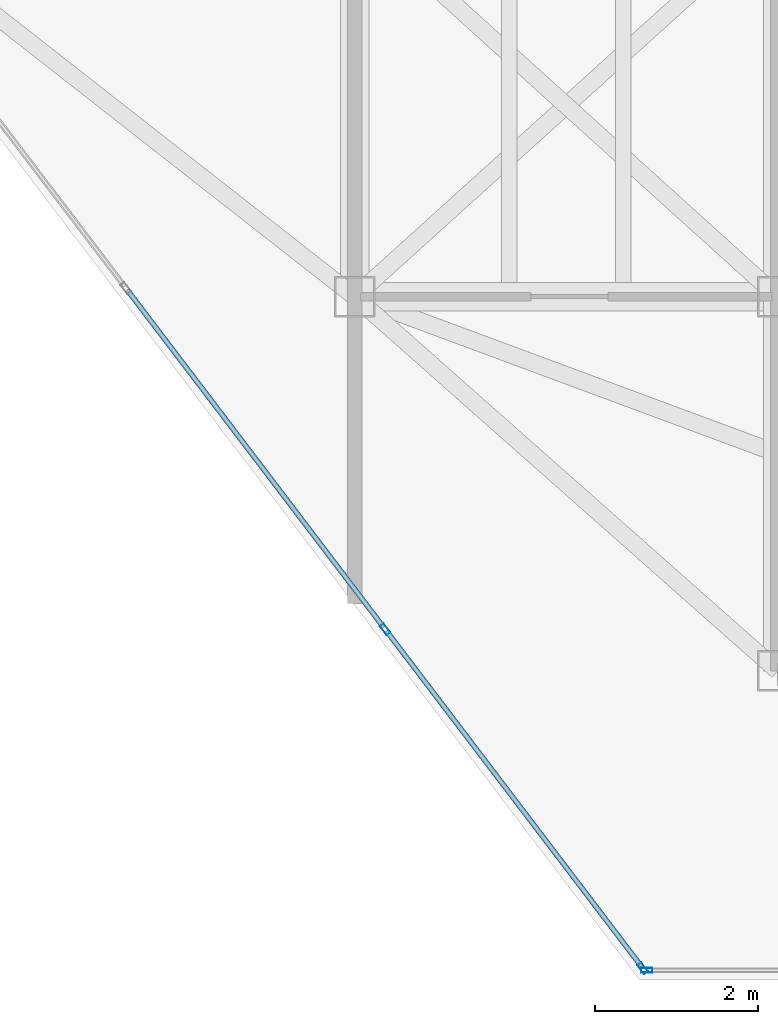
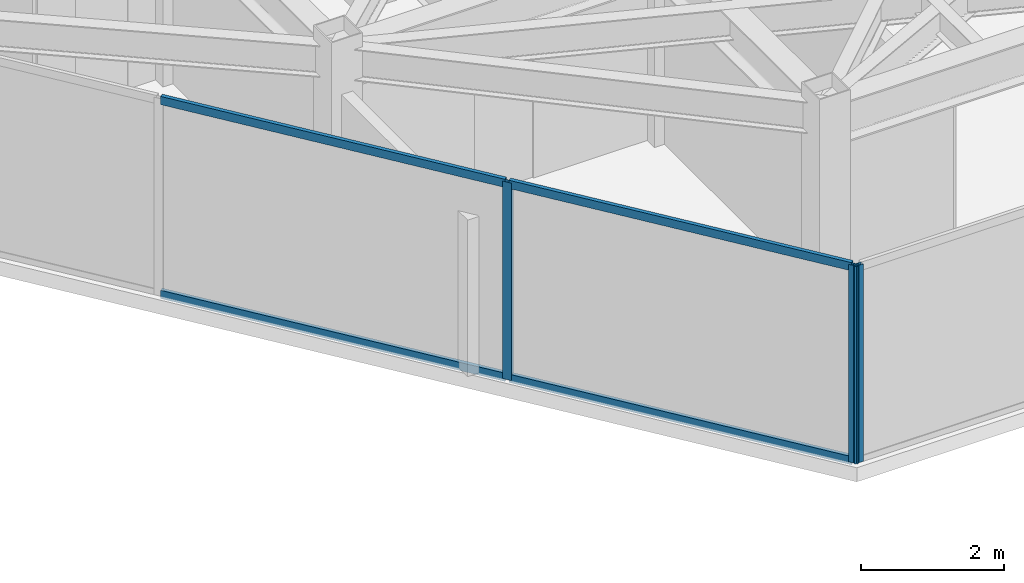
# One storey, part 6 of 19: 7 members, 2 elements without a shape of their own.
"""IFC4 building model written with IfcOpenShell, lengths in metres."""

import ifcopenshell
import ifcopenshell.guid

model = None  # the IFC model being written
_history = None  # IfcOwnerHistory: only IFC2X3 demands one
_inside = {}  # id of a spatial element -> (the spatial element, [elements in it])
_under = {}  # id of a project, library or spatial element -> (it, [spatial elements below it])
_declared = {}  # id of a project -> (the project, [libraries it declares])
_typed = {}  # id of a type object -> (the type object, [elements of that type])
_made_of = {}  # id of a material, layer set ... -> (it, [elements and type objects made of it])


def new_model(schema):
    """Start an empty IFC model of exactly this schema.

    Asked for "IFC4X3", IfcOpenShell would pick the latest addendum, in which some entities
    have other attributes; the version numbers below select the first issue.
    IFC2X3 requires an IfcOwnerHistory on every rooted entity: one is made here for all.
    """
    global model, _history
    if schema == "IFC4X3":
        model = ifcopenshell.file(schema_version=(4, 3, 0, 0))
    else:
        model = ifcopenshell.file(schema=schema)
    _inside.clear()
    _under.clear()
    _declared.clear()
    _typed.clear()
    _made_of.clear()
    _history = None
    if model.schema == "IFC2X3":
        org = make("IfcOrganization", Name="unknown")
        user = make(
            "IfcPersonAndOrganization",
            ThePerson=make("IfcPerson", FamilyName="unknown"),
            TheOrganization=org,
        )
        app = make(
            "IfcApplication",
            ApplicationDeveloper=org,
            Version="unknown",
            ApplicationFullName="unknown",
            ApplicationIdentifier="unknown",
        )
        _history = make(
            "IfcOwnerHistory",
            OwningUser=user,
            OwningApplication=app,
            ChangeAction="ADDED",
            CreationDate=0,
        )
    return model


def make(cls, **values):
    """One entity of the class cls with the attributes given. An attribute that is None is left unset."""
    return model.create_entity(
        cls, **{name: value for name, value in values.items() if value is not None}
    )


def rooted(cls, **values):
    """An entity with a GlobalId (a new one), such as an element, a storey or a relation."""
    return make(cls, GlobalId=ifcopenshell.guid.new(), OwnerHistory=_history, **values)


def si_unit(unit_type, name, prefix=None):
    """IfcSIUnit, for example si_unit("LENGTHUNIT", "METRE", prefix="MILLI")."""
    return make("IfcSIUnit", UnitType=unit_type, Prefix=prefix, Name=name)


def assignment(units):
    """IfcUnitAssignment: the units of a project."""
    return None if units is None else make("IfcUnitAssignment", Units=units)


def point(xyz):
    """IfcCartesianPoint."""
    return None if xyz is None else make("IfcCartesianPoint", Coordinates=xyz)


def direction(xyz):
    """IfcDirection."""
    return None if xyz is None else make("IfcDirection", DirectionRatios=xyz)


def frame(location, z_axis=None, x_axis=None):
    """IfcAxis2Placement3D, a coordinate frame: its origin and axes. An axis left out is left unset."""
    return make(
        "IfcAxis2Placement3D",
        Location=point(location),
        Axis=direction(z_axis),
        RefDirection=direction(x_axis),
    )


def frame_2d(location, x_axis=None):
    """IfcAxis2Placement2D, a coordinate frame in the plane: its origin and x axis."""
    return make(
        "IfcAxis2Placement2D", Location=point(location), RefDirection=direction(x_axis)
    )


def origin():
    """The frame at (0, 0, 0) with its axes left unset."""
    return frame((0.0, 0.0, 0.0))


def origin_2d():
    """The frame at (0, 0) in the plane with its x axis left unset."""
    return frame_2d((0.0, 0.0))


def place(relative_to, where):
    """IfcLocalPlacement: puts the frame where relative to a parent placement (None: the world)."""
    return make(
        "IfcLocalPlacement", PlacementRelTo=relative_to, RelativePlacement=where
    )


def context(
    kind, dimensions, precision=None, world=None, true_north=None, identifier=None
):
    """IfcGeometricRepresentationContext, for example the 3D "Model" context."""
    return make(
        "IfcGeometricRepresentationContext",
        ContextIdentifier=identifier,
        ContextType=kind,
        CoordinateSpaceDimension=dimensions,
        Precision=precision,
        WorldCoordinateSystem=world,
        TrueNorth=true_north,
    )


def subcontext(parent, identifier, kind, view, scale=None):
    """IfcGeometricRepresentationSubContext, for example "Body" below "Model"."""
    return make(
        "IfcGeometricRepresentationSubContext",
        ContextIdentifier=identifier,
        ContextType=kind,
        ParentContext=parent,
        TargetScale=scale,
        TargetView=view,
    )


def project(units=None, contexts=None):
    """IfcProject with its units and contexts."""
    return rooted(
        "IfcProject",
        Name="project",
        RepresentationContexts=contexts,
        UnitsInContext=assignment(units),
    )


def spatial(cls, under=None, at=None, **own):
    """A site, building, storey or space (cls), placed at a placement, below another one or the project."""
    s = rooted(cls, ObjectPlacement=at, **own)
    if under is not None:
        _under.setdefault(under.id(), (under, []))[1].append(s)
    return s


def profile(cls, at=None, kind="AREA", **sizes):
    """A parametric profile (cls). Its sizes go by their IFC names, for example OverallWidth=200.0."""
    return make(cls, ProfileType=kind, Position=at, **sizes)


def hollow_rectangle(**sizes):
    """IfcRectangleHollowProfileDef."""
    return profile("IfcRectangleHollowProfileDef", **sizes)


def extrude(swept, where, along, depth):
    """IfcExtrudedAreaSolid: the profile swept, set in the frame where, extruded along a direction by depth."""
    return make(
        "IfcExtrudedAreaSolid",
        SweptArea=swept,
        Position=where,
        ExtrudedDirection=direction(along),
        Depth=depth,
    )


def shape(context_of_items, identifier, shape_type, items):
    """IfcShapeRepresentation: the items that make up one representation, for example the "Body"."""
    return make(
        "IfcShapeRepresentation",
        ContextOfItems=context_of_items,
        RepresentationIdentifier=identifier,
        RepresentationType=shape_type,
        Items=items,
    )


def material(Name=None, Category=None):
    """IfcMaterial."""
    return make("IfcMaterial", Name=Name, Category=Category)


def layer(
    of_material, thickness, ventilated=None, Name=None, Category=None, Priority=None
):
    """IfcMaterialLayer: one layer of a wall or slab, of a material (None: an air gap)."""
    return make(
        "IfcMaterialLayer",
        Material=of_material,
        LayerThickness=thickness,
        IsVentilated=ventilated,
        Name=Name,
        Category=Category,
        Priority=Priority,
    )


def layer_set(layers, Name=None):
    """IfcMaterialLayerSet."""
    return make("IfcMaterialLayerSet", MaterialLayers=layers, LayerSetName=Name)


def material_profile(
    of_material, cross_section, Name=None, Category=None, Priority=None
):
    """IfcMaterialProfile: a cross section and its material."""
    return make(
        "IfcMaterialProfile",
        Name=Name,
        Material=of_material,
        Profile=cross_section,
        Priority=Priority,
        Category=Category,
    )


def profile_set(profiles, Name=None, composite=None):
    """IfcMaterialProfileSet."""
    return make(
        "IfcMaterialProfileSet",
        Name=Name,
        MaterialProfiles=profiles,
        CompositeProfile=composite,
    )


def made_of(thing, what):
    """Note that an element or type object is made of a material, layer set ...; save() writes the relation."""
    if what is not None:
        _made_of.setdefault(what.id(), (what, []))[1].append(thing)
    return thing


def type_object(cls, material=None, **own):
    """A type object (cls), such as IfcWallType, which elements share."""
    return made_of(rooted(cls, **own), material)


def element(
    cls,
    number,
    at=None,
    inside=None,
    cuts=None,
    type_object=None,
    material=None,
    context=None,
    identifier="Body",
    shape_type=None,
    held_by="IfcProductDefinitionShape",
    body=None,
    shapes=None,
    **own,
):
    """One element of the class cls, such as IfcWall. Its Tag is "e" and its number.

    at: its placement. inside: the storey or other place that contains it. cuts: it is an
    opening in that element (IfcRelVoidsElement). A single representation is given by context,
    identifier, shape_type and body (its items); several are given by shapes. held_by: the class
    of the entity that holds the representations. save() writes the other relations.
    """
    e = rooted(cls, Tag="e%d" % number, ObjectPlacement=at, **own)
    if body is not None:
        shapes = [shape(context, identifier, shape_type, body)]
    if shapes is not None:
        e.Representation = make(held_by, Representations=shapes)
    if inside is not None:
        _inside.setdefault(inside.id(), (inside, []))[1].append(e)
    if cuts is not None:
        rooted(
            "IfcRelVoidsElement", RelatingBuildingElement=cuts, RelatedOpeningElement=e
        )
    if type_object is not None:
        _typed.setdefault(type_object.id(), (type_object, []))[1].append(e)
    return made_of(e, material)


def aggregate(whole, parts):
    """IfcRelAggregates: a whole, such as a stair, and the parts it consists of."""
    return rooted("IfcRelAggregates", RelatingObject=whole, RelatedObjects=parts)


def save(model, path):
    """Write the relations noted so far, then the file.

    IfcRelAggregates (storeys below a building ...), IfcRelContainedInSpatialStructure (elements
    in a storey), IfcRelDefinesByType, IfcRelAssociatesMaterial and IfcRelDeclares: one each for
    every whole, place, type object, material and project.
    """
    for whole, parts in _under.values():
        aggregate(whole, parts)
    for where, things in _inside.values():
        rooted(
            "IfcRelContainedInSpatialStructure",
            RelatedElements=things,
            RelatingStructure=where,
        )
    for kind, things in _typed.values():
        rooted("IfcRelDefinesByType", RelatedObjects=things, RelatingType=kind)
    for what, things in _made_of.values():
        rooted("IfcRelAssociatesMaterial", RelatedObjects=things, RelatingMaterial=what)
    for by, libraries in _declared.values():
        rooted("IfcRelDeclares", RelatingContext=by, RelatedDefinitions=libraries)
    model.write(path)


model = new_model("IFC4")

# Units and contexts
model_context = context("Model", 3, precision=1e-05, world=origin(), true_north=direction((0.0, 1.0)))
body_context = subcontext(model_context, "Body", "Model", "MODEL_VIEW")
ifc_project = project(units=[si_unit("LENGTHUNIT", "METRE"), si_unit("AREAUNIT", "SQUARE_METRE"), si_unit("VOLUMEUNIT", "CUBIC_METRE"), si_unit("PLANEANGLEUNIT", "RADIAN"), si_unit("MASSUNIT", "GRAM", prefix="KILO")], contexts=[model_context])

# Site, building, storey
site_placement = place(None, origin())
site = spatial("IfcSite", under=ifc_project, at=site_placement, CompositionType="ELEMENT")
building_placement = place(site_placement, origin())
building = spatial("IfcBuilding", under=site, at=building_placement, Name="Kravanh Interchange Tower", CompositionType="ELEMENT")
storey_placement = place(building_placement, frame((0.0, 0.0, 267.0)))
storey = spatial("IfcBuildingStorey", under=building, at=storey_placement, Name="L65", CompositionType="ELEMENT", Elevation=267.0)

# Curtain wall, member
ifc_material_1 = material(Name="Anodised Bronze Aluminium", Category="aluminium")
ifc_layer = layer(ifc_material_1, 0.179931640625)
ifc_layer_set = layer_set([ifc_layer], Name="Unitised Curtain Wall System CW-HTL Luxury Hotel")
curtain_wall_type = type_object("IfcCurtainWallType", Name="Unitised Curtain Wall System CW-HTL Luxury Hotel", PredefinedType="NOTDEFINED", material=ifc_layer_set)
curtain_wall_1_placement = place(storey_placement, origin())
curtain_wall_1 = element("IfcCurtainWall", 1, at=curtain_wall_1_placement, inside=storey, type_object=curtain_wall_type, Name="L65 Unitised Curtain Wall CW-L65-03", PredefinedType="NOTDEFINED")
ifc_material_2 = material(Name="Anodised Bronze Aluminium", Category="aluminium")
ifc_material_profile_1 = material_profile(ifc_material_2, hollow_rectangle(XDim=0.06005859375, YDim=0.139892578125, WallThickness=0.00390625, at=origin_2d()), Name="ALU60X140X4")
ifc_profile_set_1 = profile_set([ifc_material_profile_1], Name="Anodised Bronze Aluminium")
member_type_1 = type_object("IfcMemberType", Name="Curtain Wall Mullion ALU60X140X4 Bronze", PredefinedType="MULLION", material=ifc_profile_set_1)
member_1_placement = place(storey_placement, frame((54.389404296875, 18.52001953125, 0.0), z_axis=(0.0, 0.0, 1.0), x_axis=(0.0, -1.0, 0.0)))
member_1 = element("IfcMember", 2, at=member_1_placement, type_object=member_type_1, Name="CW-HTL mullion 3", PredefinedType="MULLION", context=body_context, shape_type="SweptSolid", body=[
    extrude(hollow_rectangle(XDim=0.06005859375, YDim=0.139892578125, WallThickness=0.00390625, at=origin_2d()), origin(), (0.0, 0.0, 1.0), 3.360107421875),
])
aggregate(curtain_wall_1, [member_1])

# Curtain wall, members
curtain_wall_2_placement = place(storey_placement, origin())
curtain_wall_2 = element("IfcCurtainWall", 3, at=curtain_wall_2_placement, inside=storey, type_object=curtain_wall_type, Name="L65 Unitised Curtain Wall CW-L65-04", PredefinedType="NOTDEFINED")
member_2_placement = place(storey_placement, frame((54.34130859375, 18.5439453125, 0.0), z_axis=(0.0, 0.0, 1.0), x_axis=(-0.79616243806, -0.605082946564, 0.0)))
member_2 = element("IfcMember", 4, at=member_2_placement, type_object=member_type_1, Name="CW-HTL mullion 1", PredefinedType="MULLION", context=body_context, shape_type="SweptSolid", body=[
    extrude(hollow_rectangle(XDim=0.06005859375, YDim=0.139892578125, WallThickness=0.00390625, at=origin_2d()), origin(), (0.0, 0.0, 1.0), 3.360107421875),
])
member_3_placement = place(storey_placement, frame((51.173095703125, 22.712646484375, 0.0), z_axis=(0.0, 0.0, 1.0), x_axis=(-0.79616243806, -0.605082946564, 0.0)))
member_3 = element("IfcMember", 5, at=member_3_placement, type_object=member_type_1, Name="CW-HTL mullion 2", PredefinedType="MULLION", context=body_context, shape_type="SweptSolid", body=[
    extrude(hollow_rectangle(XDim=0.06005859375, YDim=0.139892578125, WallThickness=0.00390625, at=origin_2d()), origin(), (0.0, 0.0, 1.0), 3.360107421875),
])
ifc_material_3 = material(Name="Anodised Bronze Aluminium", Category="aluminium")
ifc_material_profile_2 = material_profile(ifc_material_3, hollow_rectangle(XDim=0.06005859375, YDim=0.139892578125, WallThickness=0.00390625, at=origin_2d()), Name="ALU60X140X4")
ifc_profile_set_2 = profile_set([ifc_material_profile_2], Name="Anodised Bronze Aluminium")
member_type_2 = type_object("IfcMemberType", Name="Curtain Wall Transom ALU60X140X4 Bronze", PredefinedType="USERDEFINED", material=ifc_profile_set_2)
member_4_placement = place(storey_placement, frame((54.3232421875, 18.56787109375, 0.030029296875), z_axis=(-0.605089246946, 0.796157649734, 0.0), x_axis=(-0.796157649734, -0.605089246946, 0.0)))
member_4 = element("IfcMember", 6, at=member_4_placement, type_object=member_type_2, Name="CW-HTL transom 1.1", ObjectType="TRANSOM", PredefinedType="USERDEFINED", context=body_context, shape_type="SweptSolid", body=[
    extrude(hollow_rectangle(XDim=0.06005859375, YDim=0.139892578125, WallThickness=0.00390625, at=origin_2d()), origin(), (0.0, 0.0, 1.0), 5.17626953125),
])
member_5_placement = place(storey_placement, frame((54.3232421875, 18.56787109375, 3.330078125), z_axis=(-0.605089246946, 0.796157649734, 0.0), x_axis=(-0.796157649734, -0.605089246946, 0.0)))
member_5 = element("IfcMember", 7, at=member_5_placement, type_object=member_type_2, Name="CW-HTL transom 1.2", ObjectType="TRANSOM", PredefinedType="USERDEFINED", context=body_context, shape_type="SweptSolid", body=[
    extrude(hollow_rectangle(XDim=0.06005859375, YDim=0.139892578125, WallThickness=0.00390625, at=origin_2d()), origin(), (0.0, 0.0, 1.0), 5.17626953125),
])
member_6_placement = place(storey_placement, frame((51.15478515625, 22.736572265625, 0.030029296875), z_axis=(-0.605074944506, 0.796168519555, 0.0), x_axis=(-0.796168519555, -0.605074944506, 0.0)))
member_6 = element("IfcMember", 8, at=member_6_placement, type_object=member_type_2, Name="CW-HTL transom 2.1", ObjectType="TRANSOM", PredefinedType="USERDEFINED", context=body_context, shape_type="SweptSolid", body=[
    extrude(hollow_rectangle(XDim=0.06005859375, YDim=0.139892578125, WallThickness=0.00390625, at=origin_2d()), origin(), (0.0, 0.0, 1.0), 5.206298828125),
])
member_7_placement = place(storey_placement, frame((51.15478515625, 22.736572265625, 3.330078125), z_axis=(-0.605074944506, 0.796168519555, 0.0), x_axis=(-0.796168519555, -0.605074944506, 0.0)))
member_7 = element("IfcMember", 9, at=member_7_placement, type_object=member_type_2, Name="CW-HTL transom 2.2", ObjectType="TRANSOM", PredefinedType="USERDEFINED", context=body_context, shape_type="SweptSolid", body=[
    extrude(hollow_rectangle(XDim=0.06005859375, YDim=0.139892578125, WallThickness=0.00390625, at=origin_2d()), origin(), (0.0, 0.0, 1.0), 5.206298828125),
])
aggregate(curtain_wall_2, [member_2, member_3, member_4, member_5, member_6, member_7])

save(model, "model.ifc")
